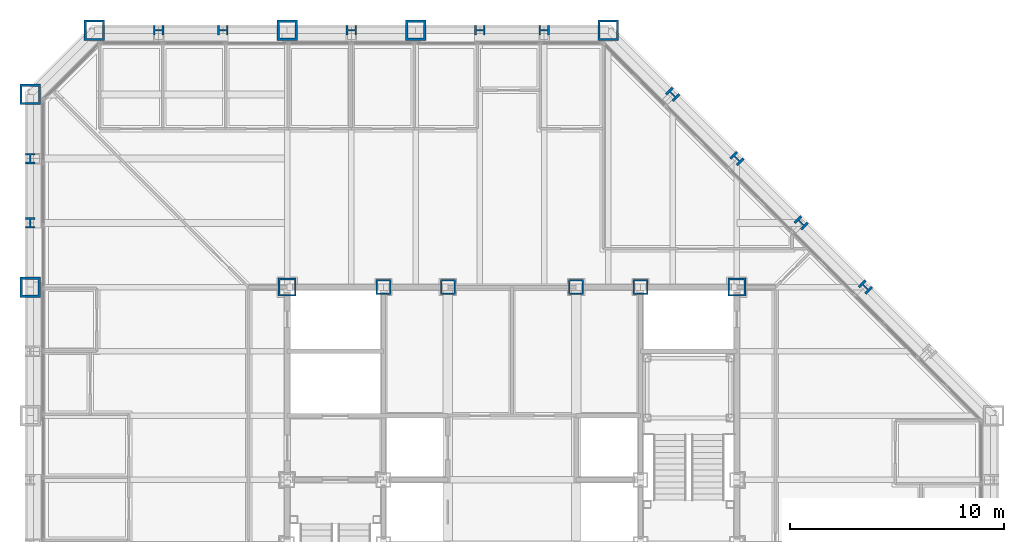
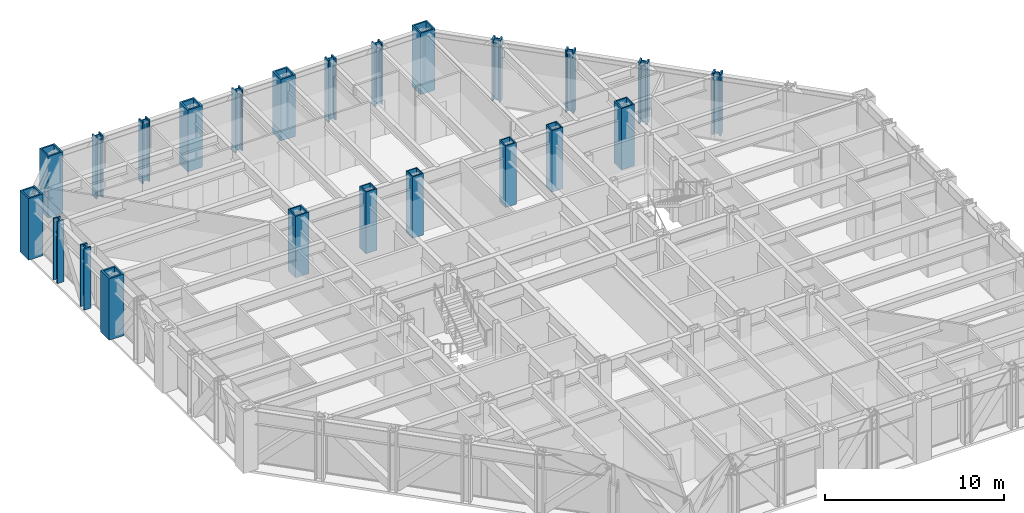
# One storey, part 3 of 17: 23 columns.
"""IFC4 building model written with IfcOpenShell, lengths in metres."""

from ifc_helpers import new_model, si_unit, direction, frame, origin, origin_2d, place, context, subcontext, project, spatial, hollow_rectangle, i_section, extrude, material, material_profile, profile_set, type_object, element, save


model = new_model("IFC4")

# Units and contexts
model_context = context("Model", 3, precision=1e-05, world=origin(), true_north=direction((0.0, 1.0)))
body_context = subcontext(model_context, "Body", "Model", "MODEL_VIEW")
ifc_project = project(units=[si_unit("LENGTHUNIT", "METRE"), si_unit("AREAUNIT", "SQUARE_METRE"), si_unit("VOLUMEUNIT", "CUBIC_METRE"), si_unit("PLANEANGLEUNIT", "RADIAN"), si_unit("MASSUNIT", "GRAM", prefix="KILO")], contexts=[model_context])

# Site, building, storey
site_placement = place(None, origin())
site = spatial("IfcSite", under=ifc_project, at=site_placement, CompositionType="ELEMENT")
building_placement = place(site_placement, origin())
building = spatial("IfcBuilding", under=site, at=building_placement, Name="Chuquiago Exchange Tower", CompositionType="ELEMENT")
storey_placement = place(building_placement, frame((0.0, 0.0, 136.199951171875)))
storey = spatial("IfcBuildingStorey", under=building, at=storey_placement, Name="L29", CompositionType="ELEMENT", Elevation=136.199951171875)

# Columns
ifc_material_1 = material(Name="Steel ASTM A992", Category="steel")
ifc_material_profile_1 = material_profile(ifc_material_1, i_section(OverallWidth=0.431884765625, OverallDepth=0.497802734375, WebThickness=0.0556640625, FlangeThickness=0.0888671875, at=origin_2d()), Name="W14X500")
ifc_profile_set_1 = profile_set([ifc_material_profile_1], Name="Steel ASTM A992")
column_type_1 = type_object("IfcColumnType", Name="C3 W14X500", PredefinedType="COLUMN", material=ifc_profile_set_1)
for number, where, z_axis, x_axis, name in (
    (1, (24.0, 45.0, 0.0), (0.0, 0.0, 1.0), (0.0, 1.0, 0.0), "COL-L29-24_45"),
    (2, (21.0, 45.0, 0.0), (0.0, 0.0, 1.0), (0.0, 1.0, 0.0), "COL-L29-21_45"),
    (3, (15.0, 45.0, 0.0), (0.0, 0.0, 1.0), (0.0, 1.0, 0.0), "COL-L29-15_45"),
    (4, (9.0, 45.0, 0.0), (0.0, 0.0, 1.0), (0.0, 1.0, 0.0), "COL-L29-9_45"),
    (5, (6.0, 45.0, 0.0), (0.0, 0.0, 1.0), (0.0, 1.0, 0.0), "COL-L29-6_45"),
    (6, (0.0, 39.0, 0.0), (0.0, 0.0, 1.0), (-1.0, 0.0, 0.0), "COL-L29-0_39"),
    (7, (0.0, 36.0, 0.0), (0.0, 0.0, 1.0), (-1.0, 0.0, 0.0), "COL-L29-0_36"),
):
    element("IfcColumn", number, at=place(storey_placement, frame(where, z_axis=z_axis, x_axis=x_axis)), inside=storey, type_object=column_type_1, Name=name, PredefinedType="COLUMN", context=body_context, shape_type="SweptSolid", body=[
        extrude(i_section(OverallWidth=0.431884765625, OverallDepth=0.497802734375, WebThickness=0.0556640625, FlangeThickness=0.0888671875, at=origin_2d()), origin(), (0.0, 0.0, 1.0), 4.199951171875),
    ])
ifc_material_2 = material(Name="Steel ASTM A572 Grade 50", Category="steel")
ifc_material_profile_2 = material_profile(ifc_material_2, hollow_rectangle(XDim=0.699951171875, YDim=0.699951171875, WallThickness=0.070068359375, at=origin_2d()), Name="BOX700X700X70")
ifc_profile_set_2 = profile_set([ifc_material_profile_2], Name="Steel ASTM A572 Grade 50")
column_type_2 = type_object("IfcColumnType", Name="CC3 BOX700X700X70", PredefinedType="COLUMN", material=ifc_profile_set_2)
for number, where, z_axis, x_axis, name in (
    (8, (16.5, 33.0, 0.0), (0.0, 0.0, 1.0), (1.0, 0.0, 0.0), "CCOL-L29-16.5_33"),
    (9, (19.5, 33.0, 0.0), (0.0, 0.0, 1.0), (1.0, 0.0, 0.0), "CCOL-L29-19.5_33"),
    (10, (25.5, 33.0, 0.0), (0.0, 0.0, 1.0), (1.0, 0.0, 0.0), "CCOL-L29-25.5_33"),
    (11, (28.5, 33.0, 0.0), (0.0, 0.0, 1.0), (1.0, 0.0, 0.0), "CCOL-L29-28.5_33"),
):
    element("IfcColumn", number, at=place(storey_placement, frame(where, z_axis=z_axis, x_axis=x_axis)), inside=storey, type_object=column_type_2, Name=name, PredefinedType="COLUMN", context=body_context, shape_type="SweptSolid", body=[
        extrude(hollow_rectangle(XDim=0.699951171875, YDim=0.699951171875, WallThickness=0.070068359375, at=origin_2d()), origin(), (0.0, 0.0, 1.0), 4.199951171875),
    ])
ifc_material_3 = material(Name="Steel ASTM A572 Grade 50", Category="steel")
ifc_material_profile_3 = material_profile(ifc_material_3, hollow_rectangle(XDim=0.85009765625, YDim=0.85009765625, WallThickness=0.0849609375, at=origin_2d()), Name="BOX850X850X85")
ifc_profile_set_3 = profile_set([ifc_material_profile_3], Name="Steel ASTM A572 Grade 50")
column_type_3 = type_object("IfcColumnType", Name="CC6 BOX850X850X85", PredefinedType="COLUMN", material=ifc_profile_set_3)
for number, where, z_axis, x_axis, name in (
    (12, (12.0, 33.0, 0.0), (0.0, 0.0, 1.0), (1.0, 0.0, 0.0), "CCOL-L29-12_33"),
    (13, (33.0, 33.0, 0.0), (0.0, 0.0, 1.0), (1.0, 0.0, 0.0), "CCOL-L29-33_33"),
):
    element("IfcColumn", number, at=place(storey_placement, frame(where, z_axis=z_axis, x_axis=x_axis)), inside=storey, type_object=column_type_3, Name=name, PredefinedType="COLUMN", context=body_context, shape_type="SweptSolid", body=[
        extrude(hollow_rectangle(XDim=0.85009765625, YDim=0.85009765625, WallThickness=0.0849609375, at=origin_2d()), origin(), (0.0, 0.0, 1.0), 4.199951171875),
    ])
ifc_material_4 = material(Name="Steel ASTM A992", Category="steel")
ifc_material_profile_4 = material_profile(ifc_material_4, i_section(OverallWidth=0.44189453125, OverallDepth=0.53076171875, WebThickness=0.06591796875, FlangeThickness=0.105712890625, at=origin_2d()), Name="W14X605")
ifc_profile_set_4 = profile_set([ifc_material_profile_4], Name="Steel ASTM A992")
column_type_4 = type_object("IfcColumnType", Name="CK3 W14X605", PredefinedType="COLUMN", material=ifc_profile_set_4)
for number, where, z_axis, x_axis, name in (
    (14, (39.0, 33.0, 0.0), (0.0, 0.0, 1.0), (0.707106781187, 0.707106781187, 0.0), "COL-L29-39_33"),
    (15, (36.0, 36.0, 0.0), (0.0, 0.0, 1.0), (0.707106781187, 0.707106781187, 0.0), "COL-L29-36_36"),
    (16, (33.0, 39.0, 0.0), (0.0, 0.0, 1.0), (0.707106781187, 0.707106781187, 0.0), "COL-L29-33_39"),
    (17, (30.0, 42.0, 0.0), (0.0, 0.0, 1.0), (0.707106781187, 0.707106781187, 0.0), "COL-L29-30_42"),
):
    element("IfcColumn", number, at=place(storey_placement, frame(where, z_axis=z_axis, x_axis=x_axis)), inside=storey, type_object=column_type_4, Name=name, PredefinedType="COLUMN", context=body_context, shape_type="SweptSolid", body=[
        extrude(i_section(OverallWidth=0.44189453125, OverallDepth=0.53076171875, WebThickness=0.06591796875, FlangeThickness=0.105712890625, at=origin_2d()), origin(), (0.0, 0.0, 1.0), 4.199951171875),
    ])
ifc_material_5 = material(Name="Steel ASTM A572 Grade 50", Category="steel")
ifc_material_profile_5 = material_profile(ifc_material_5, hollow_rectangle(XDim=0.949951171875, YDim=0.949951171875, WallThickness=0.094970703125, at=origin_2d()), Name="BOX950X950X95")
ifc_profile_set_5 = profile_set([ifc_material_profile_5], Name="Steel ASTM A572 Grade 50")
column_type_5 = type_object("IfcColumnType", Name="CN1 BOX950X950X95", PredefinedType="COLUMN", material=ifc_profile_set_5)
for number, where, z_axis, x_axis, name in (
    (18, (27.0, 45.0, 0.0), (0.0, 0.0, 1.0), (0.0, 1.0, 0.0), "COL-L29-27_45"),
    (19, (3.0, 45.0, 0.0), (0.0, 0.0, 1.0), (0.0, 1.0, 0.0), "COL-L29-3_45"),
    (20, (0.0, 42.0, 0.0), (0.0, 0.0, 1.0), (-1.0, 0.0, 0.0), "COL-L29-0_42"),
):
    element("IfcColumn", number, at=place(storey_placement, frame(where, z_axis=z_axis, x_axis=x_axis)), inside=storey, type_object=column_type_5, Name=name, PredefinedType="COLUMN", context=body_context, shape_type="SweptSolid", body=[
        extrude(hollow_rectangle(XDim=0.949951171875, YDim=0.949951171875, WallThickness=0.094970703125, at=origin_2d()), origin(), (0.0, 0.0, 1.0), 4.199951171875),
    ])
ifc_material_6 = material(Name="Steel ASTM A572 Grade 42", Category="steel")
ifc_material_profile_6 = material_profile(ifc_material_6, hollow_rectangle(XDim=0.949951171875, YDim=0.949951171875, WallThickness=0.110107421875, at=origin_2d()), Name="BOX950X950X110")
ifc_profile_set_6 = profile_set([ifc_material_profile_6], Name="Steel ASTM A572 Grade 42")
column_type_6 = type_object("IfcColumnType", Name="CT1 BOX950X950X110", PredefinedType="COLUMN", material=ifc_profile_set_6)
for number, where, z_axis, x_axis, name in (
    (21, (18.0, 45.0, 0.0), (0.0, 0.0, 1.0), (0.0, 1.0, 0.0), "COL-L29-18_45"),
    (22, (12.0, 45.0, 0.0), (0.0, 0.0, 1.0), (0.0, 1.0, 0.0), "COL-L29-12_45"),
    (23, (0.0, 33.0, 0.0), (0.0, 0.0, 1.0), (-1.0, 0.0, 0.0), "COL-L29-0_33"),
):
    element("IfcColumn", number, at=place(storey_placement, frame(where, z_axis=z_axis, x_axis=x_axis)), inside=storey, type_object=column_type_6, Name=name, PredefinedType="COLUMN", context=body_context, shape_type="SweptSolid", body=[
        extrude(hollow_rectangle(XDim=0.949951171875, YDim=0.949951171875, WallThickness=0.110107421875, at=origin_2d()), origin(), (0.0, 0.0, 1.0), 4.199951171875),
    ])

save(model, "model.ifc")
